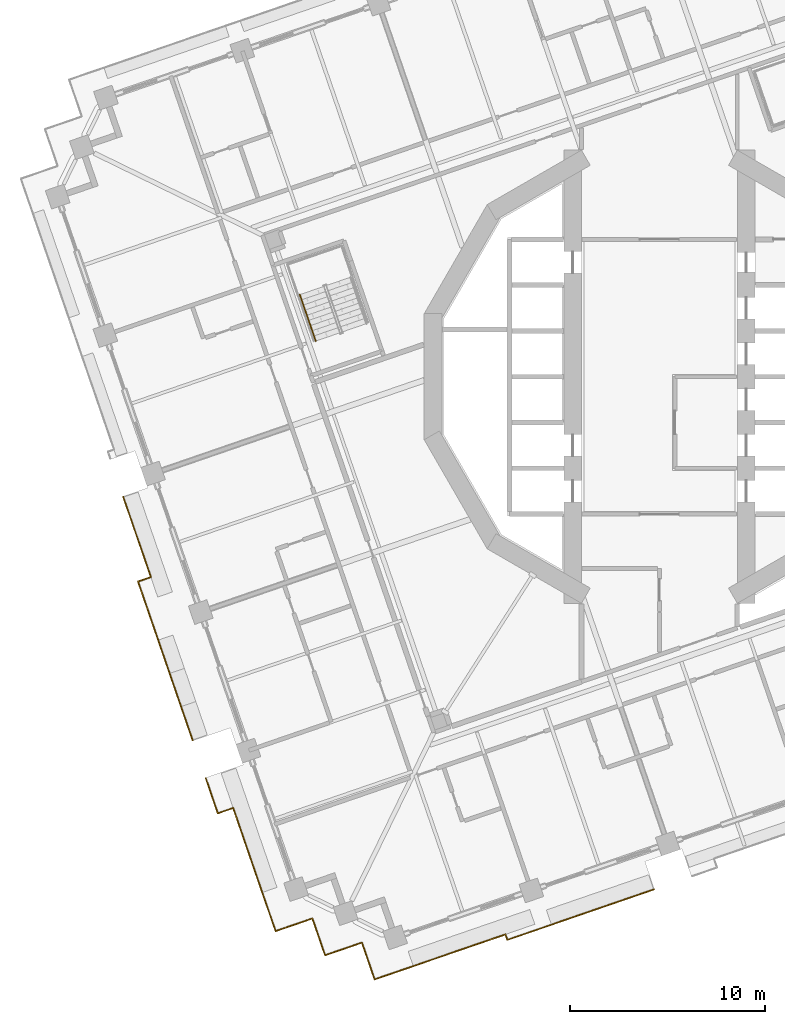
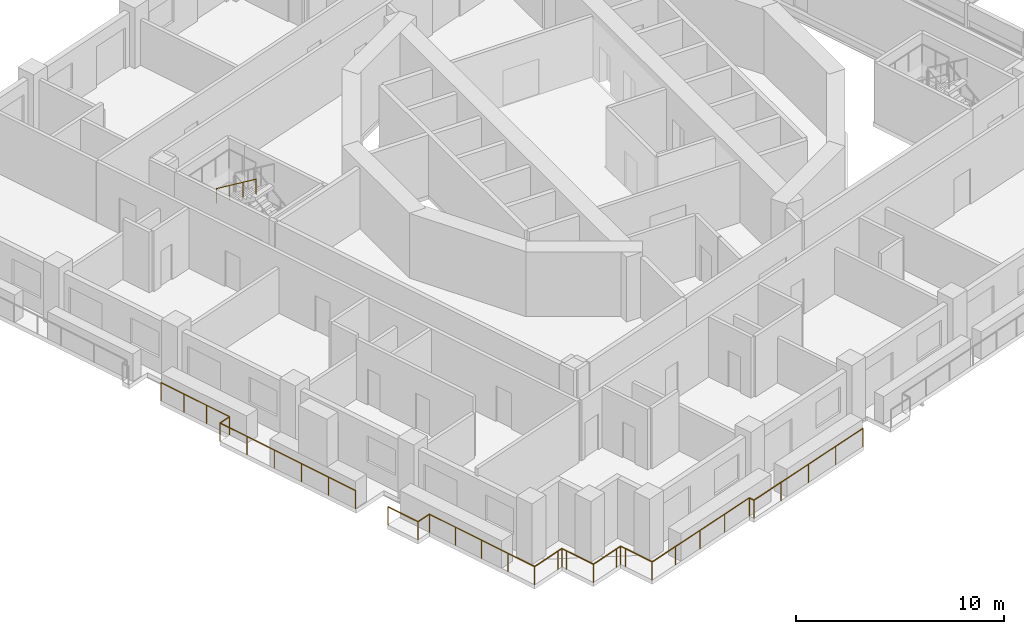
# One storey, part 15 of 21: 5 railings.
"""IFC4 building model written with IfcOpenShell, lengths in metres."""

from ifc_helpers import new_model, si_unit, direction, frame, origin, origin_2d, place, context, subcontext, project, spatial, circle, extrude, material, type_object, element, save


model = new_model("IFC4")

# Units and contexts
model_context = context("Model", 3, precision=1e-05, world=origin(), true_north=direction((0.0, 1.0)))
body_context = subcontext(model_context, "Body", "Model", "MODEL_VIEW")
ifc_project = project(units=[si_unit("LENGTHUNIT", "METRE"), si_unit("AREAUNIT", "SQUARE_METRE"), si_unit("VOLUMEUNIT", "CUBIC_METRE"), si_unit("PLANEANGLEUNIT", "RADIAN"), si_unit("MASSUNIT", "GRAM", prefix="KILO")], contexts=[model_context])

# Site, building, storey
site_placement = place(None, origin())
site = spatial("IfcSite", under=ifc_project, at=site_placement, CompositionType="ELEMENT")
building_placement = place(site_placement, origin())
building = spatial("IfcBuilding", under=site, at=building_placement, Name="Cantera Rosa Tower", CompositionType="ELEMENT")
storey_placement = place(building_placement, frame((0.0, 0.0, 119.300048828125)))
storey = spatial("IfcBuildingStorey", under=building, at=storey_placement, Name="L24", CompositionType="ELEMENT", Elevation=119.300048828125)

# Railings
ifc_material_1 = material(Name="Stainless steel and laminated glass", Category="steel")
railing_type_1 = type_object("IfcRailingType", Name="GUARD 1100", PredefinedType="BALUSTRADE", material=ifc_material_1)
railing_1_placement = place(storey_placement, frame((-20.25927734375, -26.859130859375, 0.0)))
element("IfcRailing", 1, at=railing_1_placement, inside=storey, type_object=railing_type_1, Name="GUARD L24-1", PredefinedType="BALUSTRADE", context=body_context, shape_type="SweptSolid", body=[
    extrude(circle(Radius=0.030029296875, at=origin_2d()), frame((0.0, 0.0, 1.070068359375), z_axis=(-0.325584707216, 0.945512875865, 0.0), x_axis=(-0.945512875865, -0.325584707216, 0.0)), (0.0, 0.0, 1.0), 4.98583984375),
    extrude(circle(Radius=0.030029296875, at=origin_2d()), frame((-1.623291015625, 4.714111328125, 1.070068359375), z_axis=(-0.94547555612, -0.325693065293, 0.0), x_axis=(0.325693065293, -0.94547555612, 0.0)), (0.0, 0.0, 1.0), 0.834228515625),
    extrude(circle(Radius=0.030029296875, at=origin_2d()), frame((-2.412109375, 4.4423828125, 1.070068359375), z_axis=(-0.325520455673, 0.945534998262, 0.0), x_axis=(-0.945534998262, -0.325520455673, 0.0)), (0.0, 0.0, 1.0), 1.904296875),
    extrude(circle(Radius=0.02490234375, at=origin_2d()), origin(), (0.0, 0.0, 1.0), 1.0400390625),
    extrude(circle(Radius=0.02490234375, at=origin_2d()), frame((-0.541015625, 1.5712890625, 0.0)), (0.0, 0.0, 1.0), 1.0400390625),
    extrude(circle(Radius=0.02490234375, at=origin_2d()), frame((-1.082275390625, 3.142822265625, 0.0)), (0.0, 0.0, 1.0), 1.0400390625),
    extrude(circle(Radius=0.02490234375, at=origin_2d()), frame((-1.623291015625, 4.714111328125, 0.0)), (0.0, 0.0, 1.0), 1.0400390625),
    extrude(circle(Radius=0.02490234375, at=origin_2d()), frame((-2.412109375, 4.4423828125, 0.0)), (0.0, 0.0, 1.0), 1.0400390625),
    extrude(circle(Radius=0.02490234375, at=origin_2d()), frame((-3.031982421875, 6.242919921875, 0.0)), (0.0, 0.0, 1.0), 1.0400390625),
])
railing_2_placement = place(storey_placement, frame((-0.275146484375, -26.32275390625, 0.0)))
element("IfcRailing", 2, at=railing_2_placement, inside=storey, type_object=railing_type_1, Name="GUARD L24-2", PredefinedType="BALUSTRADE", context=body_context, shape_type="SweptSolid", body=[
    extrude(circle(Radius=0.030029296875, at=origin_2d()), frame((0.0, 0.0, 1.070068359375), z_axis=(-0.945508985481, -0.32559600485, 0.0), x_axis=(0.32559600485, -0.945508985481, 0.0)), (0.0, 0.0, 1.0), 7.96923828125),
    extrude(circle(Radius=0.030029296875, at=origin_2d()), frame((-7.534912109375, -2.5947265625, 1.070068359375), z_axis=(-0.325512939397, 0.945537585866, 0.0), x_axis=(-0.945537585866, -0.325512939397, 0.0)), (0.0, 0.0, 1.0), 0.29931640625),
    extrude(circle(Radius=0.030029296875, at=origin_2d()), frame((-7.63232421875, -2.311767578125, 1.070068359375), z_axis=(-0.945522759596, -0.325556002993, 0.0), x_axis=(0.325556002993, -0.945522759596, 0.0)), (0.0, 0.0, 1.0), 5.40087890625),
    extrude(circle(Radius=0.030029296875, at=origin_2d()), frame((-12.739013671875, -4.070068359375, 1.070068359375), z_axis=(-0.945520918819, -0.325561349174, 0.0), x_axis=(0.325561349174, -0.945520918819, 0.0)), (0.0, 0.0, 1.0), 1.699951171875),
    extrude(circle(Radius=0.030029296875, at=origin_2d()), frame((-14.346435546875, -4.62353515625, 1.070068359375), z_axis=(-0.325561349174, 0.945520918819, 0.0), x_axis=(-0.945520918819, -0.325561349174, 0.0)), (0.0, 0.0, 1.0), 1.699951171875),
    extrude(circle(Radius=0.030029296875, at=origin_2d()), frame((-14.89990234375, -3.01611328125, 1.070068359375), z_axis=(-0.325489086777, 0.945545797087, 0.0), x_axis=(-0.945545797087, -0.325489086777, 0.0)), (0.0, 0.0, 1.0), 0.300048828125),
    extrude(circle(Radius=0.030029296875, at=origin_2d()), frame((-14.99755859375, -2.732421875, 1.070068359375), z_axis=(-0.945459489149, -0.325739703411, 0.0), x_axis=(0.325739703411, -0.945459489149, 0.0)), (0.0, 0.0, 1.0), 0.2998046875),
    extrude(circle(Radius=0.030029296875, at=origin_2d()), frame((-15.281005859375, -2.830078125, 1.070068359375), z_axis=(-0.945520918819, -0.325561349174, 0.0), x_axis=(0.325561349174, -0.945520918819, 0.0)), (0.0, 0.0, 1.0), 1.699951171875),
    extrude(circle(Radius=0.030029296875, at=origin_2d()), frame((-16.888427734375, -3.383544921875, 1.070068359375), z_axis=(-0.325605561237, 0.945505694584, 0.0), x_axis=(-0.945505694584, -0.325605561237, 0.0)), (0.0, 0.0, 1.0), 1.69970703125),
    extrude(circle(Radius=0.030029296875, at=origin_2d()), frame((-17.44189453125, -1.7763671875, 1.070068359375), z_axis=(-0.325489086777, 0.945545797087, 0.0), x_axis=(-0.945545797087, -0.325489086777, 0.0)), (0.0, 0.0, 1.0), 0.300048828125),
    extrude(circle(Radius=0.030029296875, at=origin_2d()), frame((-17.53955078125, -1.49267578125, 1.070068359375), z_axis=(-0.945545797087, -0.325489086777, 0.0), x_axis=(0.325489086777, -0.945545797087, 0.0)), (0.0, 0.0, 1.0), 0.300048828125),
    extrude(circle(Radius=0.030029296875, at=origin_2d()), frame((-17.8232421875, -1.59033203125, 1.070068359375), z_axis=(-0.945520918819, -0.325561349174, 0.0), x_axis=(0.325561349174, -0.945520918819, 0.0)), (0.0, 0.0, 1.0), 1.699951171875),
    extrude(circle(Radius=0.030029296875, at=origin_2d()), frame((-19.4306640625, -2.143798828125, 1.070068359375), z_axis=(-0.325561349174, 0.945520918819, 0.0), x_axis=(-0.945520918819, -0.325561349174, 0.0)), (0.0, 0.0, 1.0), 1.699951171875),
    extrude(circle(Radius=0.02490234375, at=origin_2d()), origin(), (0.0, 0.0, 1.0), 1.0400390625),
    extrude(circle(Radius=0.02490234375, at=origin_2d()), frame((-1.8837890625, -0.648681640625, 0.0)), (0.0, 0.0, 1.0), 1.0400390625),
    extrude(circle(Radius=0.02490234375, at=origin_2d()), frame((-3.767578125, -1.29736328125, 0.0)), (0.0, 0.0, 1.0), 1.0400390625),
    extrude(circle(Radius=0.02490234375, at=origin_2d()), frame((-5.651123046875, -1.946044921875, 0.0)), (0.0, 0.0, 1.0), 1.0400390625),
    extrude(circle(Radius=0.02490234375, at=origin_2d()), frame((-7.534912109375, -2.5947265625, 0.0)), (0.0, 0.0, 1.0), 1.0400390625),
    extrude(circle(Radius=0.02490234375, at=origin_2d()), frame((-7.63232421875, -2.311767578125, 0.0)), (0.0, 0.0, 1.0), 1.0400390625),
    extrude(circle(Radius=0.02490234375, at=origin_2d()), frame((-9.33447265625, -2.89794921875, 0.0)), (0.0, 0.0, 1.0), 1.0400390625),
    extrude(circle(Radius=0.02490234375, at=origin_2d()), frame((-11.036865234375, -3.48388671875, 0.0)), (0.0, 0.0, 1.0), 1.0400390625),
    extrude(circle(Radius=0.02490234375, at=origin_2d()), frame((-12.739013671875, -4.070068359375, 0.0)), (0.0, 0.0, 1.0), 1.0400390625),
    extrude(circle(Radius=0.02490234375, at=origin_2d()), frame((-14.346435546875, -4.62353515625, 0.0)), (0.0, 0.0, 1.0), 1.0400390625),
    extrude(circle(Radius=0.02490234375, at=origin_2d()), frame((-14.89990234375, -3.01611328125, 0.0)), (0.0, 0.0, 1.0), 1.0400390625),
    extrude(circle(Radius=0.02490234375, at=origin_2d()), frame((-14.99755859375, -2.732421875, 0.0)), (0.0, 0.0, 1.0), 1.0400390625),
    extrude(circle(Radius=0.02490234375, at=origin_2d()), frame((-15.281005859375, -2.830078125, 0.0)), (0.0, 0.0, 1.0), 1.0400390625),
    extrude(circle(Radius=0.02490234375, at=origin_2d()), frame((-16.888427734375, -3.383544921875, 0.0)), (0.0, 0.0, 1.0), 1.0400390625),
    extrude(circle(Radius=0.02490234375, at=origin_2d()), frame((-17.44189453125, -1.7763671875, 0.0)), (0.0, 0.0, 1.0), 1.0400390625),
    extrude(circle(Radius=0.02490234375, at=origin_2d()), frame((-17.53955078125, -1.49267578125, 0.0)), (0.0, 0.0, 1.0), 1.0400390625),
    extrude(circle(Radius=0.02490234375, at=origin_2d()), frame((-17.8232421875, -1.59033203125, 0.0)), (0.0, 0.0, 1.0), 1.0400390625),
    extrude(circle(Radius=0.02490234375, at=origin_2d()), frame((-19.4306640625, -2.143798828125, 0.0)), (0.0, 0.0, 1.0), 1.0400390625),
    extrude(circle(Radius=0.02490234375, at=origin_2d()), frame((-19.984130859375, -0.536376953125, 0.0)), (0.0, 0.0, 1.0), 1.0400390625),
])
railing_3_placement = place(storey_placement, frame((-26.110107421875, -10.28662109375, 0.0)))
element("IfcRailing", 3, at=railing_3_placement, inside=storey, type_object=railing_type_1, Name="GUARD L24-3", PredefinedType="BALUSTRADE", context=body_context, shape_type="SweptSolid", body=[
    extrude(circle(Radius=0.030029296875, at=origin_2d()), frame((0.0, 0.0, 1.070068359375), z_axis=(-0.325544978048, 0.945526555559, 0.0), x_axis=(-0.945526555559, -0.325544978048, 0.0)), (0.0, 0.0, 1.0), 4.355712890625),
    extrude(circle(Radius=0.02490234375, at=origin_2d()), origin(), (0.0, 0.0, 1.0), 1.0400390625),
    extrude(circle(Radius=0.02490234375, at=origin_2d()), frame((-0.47265625, 1.372802734375, 0.0)), (0.0, 0.0, 1.0), 1.0400390625),
    extrude(circle(Radius=0.02490234375, at=origin_2d()), frame((-0.9453125, 2.74560546875, 0.0)), (0.0, 0.0, 1.0), 1.0400390625),
    extrude(circle(Radius=0.02490234375, at=origin_2d()), frame((-1.41796875, 4.118408203125, 0.0)), (0.0, 0.0, 1.0), 1.0400390625),
])
railing_4_placement = place(storey_placement, frame((-23.9619140625, -18.668212890625, 0.0)))
element("IfcRailing", 4, at=railing_4_placement, inside=storey, type_object=railing_type_1, Name="GUARD L24-4", PredefinedType="BALUSTRADE", context=body_context, shape_type="SweptSolid", body=[
    extrude(circle(Radius=0.030029296875, at=origin_2d()), frame((0.0, 0.0, 1.070068359375), z_axis=(-0.325579738421, 0.945514586841, 0.0), x_axis=(-0.945514586841, -0.325579738421, 0.0)), (0.0, 0.0, 1.0), 8.624267578125),
    extrude(circle(Radius=0.030029296875, at=origin_2d()), frame((-2.807861328125, 8.154296875, 1.070068359375), z_axis=(0.945451042337, 0.325764219251, 0.0), x_axis=(-0.325764219251, 0.945451042337, 0.0)), (0.0, 0.0, 1.0), 0.69775390625),
    extrude(circle(Radius=0.02490234375, at=origin_2d()), origin(), (0.0, 0.0, 1.0), 1.0400390625),
    extrude(circle(Radius=0.02490234375, at=origin_2d()), frame((-0.5615234375, 1.630859375, 0.0)), (0.0, 0.0, 1.0), 1.0400390625),
    extrude(circle(Radius=0.02490234375, at=origin_2d()), frame((-1.123046875, 3.26171875, 0.0)), (0.0, 0.0, 1.0), 1.0400390625),
    extrude(circle(Radius=0.02490234375, at=origin_2d()), frame((-1.684814453125, 4.892578125, 0.0)), (0.0, 0.0, 1.0), 1.0400390625),
    extrude(circle(Radius=0.02490234375, at=origin_2d()), frame((-2.246337890625, 6.5234375, 0.0)), (0.0, 0.0, 1.0), 1.0400390625),
    extrude(circle(Radius=0.02490234375, at=origin_2d()), frame((-2.807861328125, 8.154296875, 0.0)), (0.0, 0.0, 1.0), 1.0400390625),
    extrude(circle(Radius=0.02490234375, at=origin_2d()), frame((-2.148193359375, 8.381591796875, 0.0)), (0.0, 0.0, 1.0), 1.0400390625),
])
ifc_material_2 = material(Name="Steel S355J2 (EN 10025-2)", Category="steel")
railing_type_2 = type_object("IfcRailingType", Name="STAIR HANDRAIL 900", PredefinedType="HANDRAIL", material=ifc_material_2)
railing_5_placement = place(storey_placement, frame((-18.46484375, 4.21142578125, 2.08984375)))
element("IfcRailing", 5, at=railing_5_placement, inside=storey, type_object=railing_type_2, Name="L24 ST-22 stair handrail 2", PredefinedType="HANDRAIL", context=body_context, shape_type="SweptSolid", body=[
    extrude(circle(Radius=0.02392578125, at=origin_2d()), frame((0.0, 0.0, 0.8759765625), z_axis=(0.269420291028, -0.782368949847, 0.561526075172), x_axis=(0.94550776501, 0.325599548996, 0.0)), (0.0, 0.0, 1.0), 3.045654296875),
    extrude(circle(Radius=0.02099609375, at=origin_2d()), origin(), (0.0, 0.0, 1.0), 0.851806640625),
    extrude(circle(Radius=0.02099609375, at=origin_2d()), frame((0.2734375, -0.794189453125, 0.570068359375)), (0.0, 0.0, 1.0), 0.851806640625),
    extrude(circle(Radius=0.02099609375, at=origin_2d()), frame((0.547119140625, -1.588623046875, 1.14013671875)), (0.0, 0.0, 1.0), 0.851806640625),
    extrude(circle(Radius=0.02099609375, at=origin_2d()), frame((0.820556640625, -2.3828125, 1.710205078125)), (0.0, 0.0, 1.0), 0.851806640625),
])

save(model, "model.ifc")
